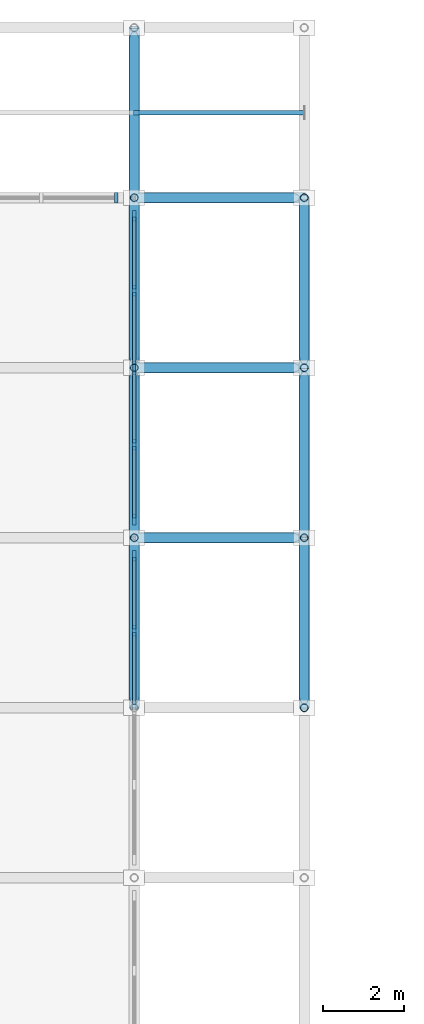
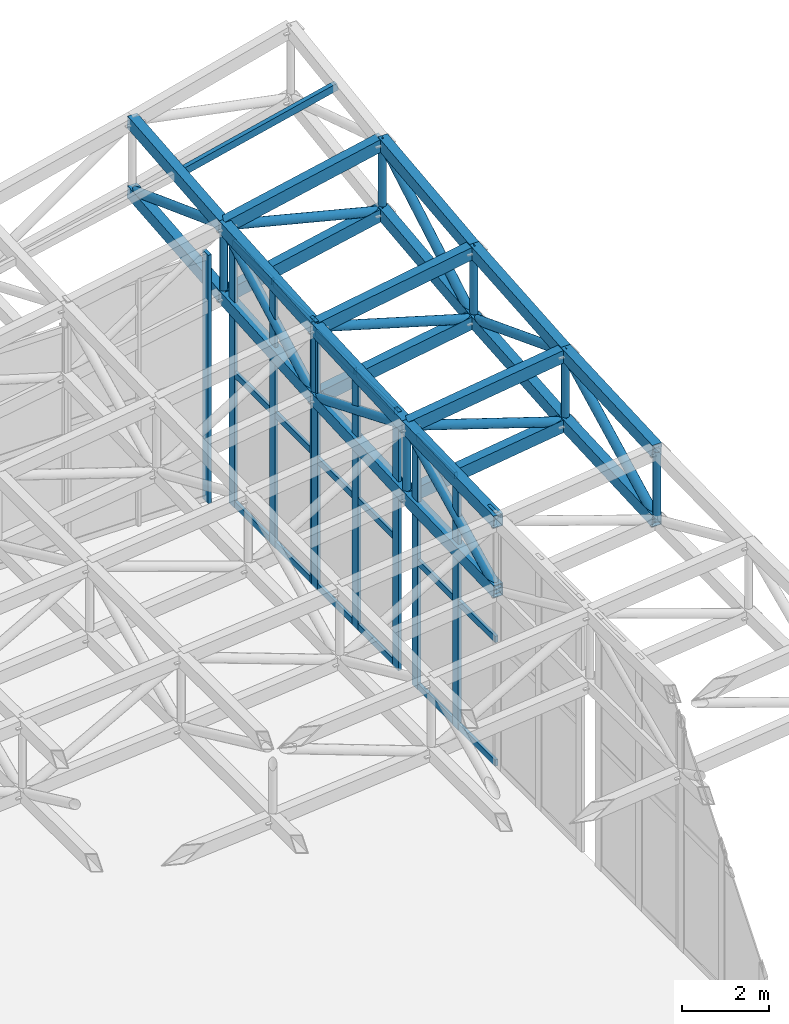
# One storey, part 60 of 111: 65 members, 4 elements without a shape of their own.
"""IFC4 building model written with IfcOpenShell, lengths in metres."""

from ifc_helpers import new_model, si_unit, direction, frame, origin, origin_2d, place, context, subcontext, project, spatial, rectangle, hollow_rectangle, hollow_circle, extrude, material, material_profile, profile_set, type_object, element, aggregate, save


model = new_model("IFC4")

# Units and contexts
model_context = context("Model", 3, precision=1e-05, world=origin(), true_north=direction((0.0, 1.0)))
body_context = subcontext(model_context, "Body", "Model", "MODEL_VIEW")
ifc_project = project(units=[si_unit("LENGTHUNIT", "METRE"), si_unit("AREAUNIT", "SQUARE_METRE"), si_unit("VOLUMEUNIT", "CUBIC_METRE"), si_unit("PLANEANGLEUNIT", "RADIAN"), si_unit("MASSUNIT", "GRAM", prefix="KILO")], contexts=[model_context])

# Site, building, storey
site_placement = place(None, origin())
site = spatial("IfcSite", under=ifc_project, at=site_placement, CompositionType="ELEMENT")
building_placement = place(site_placement, origin())
building = spatial("IfcBuilding", under=site, at=building_placement, Name="Cumbredor Promenade Congress Hotel", CompositionType="ELEMENT")
storey_placement = place(building_placement, frame((0.0, 0.0, 15.1201171875)))
storey = spatial("IfcBuildingStorey", under=building, at=storey_placement, Name="L04", CompositionType="ELEMENT", Elevation=15.1201171875)

# Curtain wall, member
ifc_material_1 = material(Name="Thermally broken anodized aluminium and low-E glass", Category="aluminium")
curtain_wall_type = type_object("IfcCurtainWallType", Name="Stepped Pavilion Clerestory Curtain Wall CW-06", PredefinedType="NOTDEFINED", material=ifc_material_1)
curtain_wall_1_placement = place(storey_placement, origin())
curtain_wall_1 = element("IfcCurtainWall", 1, at=curtain_wall_1_placement, inside=storey, type_object=curtain_wall_type, Name="Pre-Function and Breakout Meeting Forum N Glazed Clerestory 20", PredefinedType="NOTDEFINED")
ifc_material_2 = material(Name="Thermally broken anodized aluminium", Category="aluminium")
ifc_material_profile_1 = material_profile(ifc_material_2, rectangle(XDim=0.0849609375, YDim=0.260009765625, at=origin_2d()), Name="ALU MULLION CLERESTORY 85x260")
ifc_profile_set_1 = profile_set([ifc_material_profile_1], Name="Thermally broken anodized aluminium")
member_type_1 = type_object("IfcMemberType", Name="Curtain Wall Mullion ML-04", PredefinedType="MULLION", material=ifc_profile_set_1)
member_1_placement = place(storey_placement, frame((175.9599609375, 117.60009765625, -0.01806640625), z_axis=(0.0, 0.0, 1.0), x_axis=(1.0, 0.0, 0.0)))
member_1 = element("IfcMember", 2, at=member_1_placement, type_object=member_type_1, Name="Pre-Function and Breakout Meeting Forum N Glazed Clerestory 20 Mullion 3", PredefinedType="MULLION", context=body_context, shape_type="SweptSolid", body=[
    extrude(rectangle(XDim=0.0849609375, YDim=0.260009765625, at=origin_2d()), origin(), (0.0, 0.0, 1.0), 6.959228515625),
])
aggregate(curtain_wall_1, [member_1])

# Curtain wall, members
curtain_wall_2_placement = place(storey_placement, origin())
curtain_wall_2 = element("IfcCurtainWall", 3, at=curtain_wall_2_placement, inside=storey, type_object=curtain_wall_type, Name="Pre-Function and Breakout Meeting Forum E Glazed Clerestory 6", PredefinedType="NOTDEFINED")
member_2_placement = place(storey_placement, frame((176.39990234375, 106.89990234375, -0.01806640625), z_axis=(0.0, 0.0, 1.0), x_axis=(1.0, 0.0, 0.0)))
member_2 = element("IfcMember", 4, at=member_2_placement, type_object=member_type_1, Name="Pre-Function and Breakout Meeting Forum E Glazed Clerestory 6 Mullion 2", PredefinedType="MULLION", context=body_context, shape_type="SweptSolid", body=[
    extrude(rectangle(XDim=0.0849609375, YDim=0.260009765625, at=origin_2d()), origin(), (0.0, 0.0, 1.0), 7.12060546875),
])
member_3_placement = place(storey_placement, frame((176.39990234375, 108.760009765625, -0.01806640625), z_axis=(0.0, 0.0, 1.0), x_axis=(1.0, 0.0, 0.0)))
member_3 = element("IfcMember", 5, at=member_3_placement, type_object=member_type_1, Name="Pre-Function and Breakout Meeting Forum E Glazed Clerestory 6 Mullion 3", PredefinedType="MULLION", context=body_context, shape_type="SweptSolid", body=[
    extrude(rectangle(XDim=0.0849609375, YDim=0.260009765625, at=origin_2d()), origin(), (0.0, 0.0, 1.0), 7.12060546875),
])

curtain_wall_3_placement = place(storey_placement, origin())
curtain_wall_3 = element("IfcCurtainWall", 6, at=curtain_wall_3_placement, inside=storey, type_object=curtain_wall_type, Name="Pre-Function and Breakout Meeting Forum E Glazed Clerestory 7", PredefinedType="NOTDEFINED")
member_4_placement = place(storey_placement, frame((176.39990234375, 109.639892578125, -0.01806640625), z_axis=(0.0, 0.0, 1.0), x_axis=(1.0, 0.0, 0.0)))
member_4 = element("IfcMember", 7, at=member_4_placement, type_object=member_type_1, Name="Pre-Function and Breakout Meeting Forum E Glazed Clerestory 7 Mullion 1", PredefinedType="MULLION", context=body_context, shape_type="SweptSolid", body=[
    extrude(rectangle(XDim=0.0849609375, YDim=0.260009765625, at=origin_2d()), origin(), (0.0, 0.0, 1.0), 7.248046875),
])
member_5_placement = place(storey_placement, frame((176.39990234375, 111.5, -0.01806640625), z_axis=(0.0, 0.0, 1.0), x_axis=(1.0, 0.0, 0.0)))
member_5 = element("IfcMember", 8, at=member_5_placement, type_object=member_type_1, Name="Pre-Function and Breakout Meeting Forum E Glazed Clerestory 7 Mullion 2", PredefinedType="MULLION", context=body_context, shape_type="SweptSolid", body=[
    extrude(rectangle(XDim=0.0849609375, YDim=0.260009765625, at=origin_2d()), origin(), (0.0, 0.0, 1.0), 7.248046875),
])
member_6_placement = place(storey_placement, frame((176.39990234375, 113.360107421875, -0.01806640625), z_axis=(0.0, 0.0, 1.0), x_axis=(1.0, 0.0, 0.0)))
member_6 = element("IfcMember", 9, at=member_6_placement, type_object=member_type_1, Name="Pre-Function and Breakout Meeting Forum E Glazed Clerestory 7 Mullion 3", PredefinedType="MULLION", context=body_context, shape_type="SweptSolid", body=[
    extrude(rectangle(XDim=0.0849609375, YDim=0.260009765625, at=origin_2d()), origin(), (0.0, 0.0, 1.0), 7.248046875),
])

curtain_wall_4_placement = place(storey_placement, origin())
curtain_wall_4 = element("IfcCurtainWall", 10, at=curtain_wall_4_placement, inside=storey, type_object=curtain_wall_type, Name="Pre-Function and Breakout Meeting Forum E Glazed Clerestory 8", PredefinedType="NOTDEFINED")
member_7_placement = place(storey_placement, frame((176.39990234375, 113.43994140625, -0.01806640625), z_axis=(0.0, 0.0, 1.0), x_axis=(1.0, 0.0, 0.0)))
member_7 = element("IfcMember", 11, at=member_7_placement, type_object=member_type_1, Name="Pre-Function and Breakout Meeting Forum E Glazed Clerestory 8 Mullion 1", PredefinedType="MULLION", context=body_context, shape_type="SweptSolid", body=[
    extrude(rectangle(XDim=0.0849609375, YDim=0.260009765625, at=origin_2d()), origin(), (0.0, 0.0, 1.0), 7.4609375),
])
member_8_placement = place(storey_placement, frame((176.39990234375, 115.300048828125, -0.01806640625), z_axis=(0.0, 0.0, 1.0), x_axis=(1.0, 0.0, 0.0)))
member_8 = element("IfcMember", 12, at=member_8_placement, type_object=member_type_1, Name="Pre-Function and Breakout Meeting Forum E Glazed Clerestory 8 Mullion 2", PredefinedType="MULLION", context=body_context, shape_type="SweptSolid", body=[
    extrude(rectangle(XDim=0.0849609375, YDim=0.260009765625, at=origin_2d()), origin(), (0.0, 0.0, 1.0), 7.4609375),
])
member_9_placement = place(storey_placement, frame((176.39990234375, 117.159912109375, -0.01806640625), z_axis=(0.0, 0.0, 1.0), x_axis=(1.0, 0.0, 0.0)))
member_9 = element("IfcMember", 13, at=member_9_placement, type_object=member_type_1, Name="Pre-Function and Breakout Meeting Forum E Glazed Clerestory 8 Mullion 3", PredefinedType="MULLION", context=body_context, shape_type="SweptSolid", body=[
    extrude(rectangle(XDim=0.0849609375, YDim=0.260009765625, at=origin_2d()), origin(), (0.0, 0.0, 1.0), 7.4609375),
])

# Member
ifc_material_profile_2 = material_profile(ifc_material_2, rectangle(XDim=0.080078125, YDim=0.179931640625, at=origin_2d()), Name="ALU TRANSOM 80x180")
ifc_profile_set_2 = profile_set([ifc_material_profile_2], Name="Thermally broken anodized aluminium")
member_type_2 = type_object("IfcMemberType", Name="Curtain Wall Transom TR-03", PredefinedType="USERDEFINED", material=ifc_profile_set_2)
member_10_placement = place(storey_placement, frame((176.39990234375, 105.08251953125, 0.079833984375), z_axis=(0.0, 1.0, 0.0), x_axis=(-1.0, 0.0, 0.0)))
member_10 = element("IfcMember", 14, at=member_10_placement, type_object=member_type_2, Name="Pre-Function and Breakout Meeting Forum E Glazed Clerestory 6 Transom 1.1", ObjectType="TRANSOM", PredefinedType="USERDEFINED", context=body_context, shape_type="SweptSolid", body=[
    extrude(rectangle(XDim=0.080078125, YDim=0.179931640625, at=origin_2d()), origin(), (0.0, 0.0, 1.0), 1.77490234375),
])

member_11_placement = place(storey_placement, frame((176.39990234375, 105.08251953125, 3.539794921875), z_axis=(0.0, 1.0, 0.0), x_axis=(-1.0, 0.0, 0.0)))
member_11 = element("IfcMember", 15, at=member_11_placement, type_object=member_type_2, Name="Pre-Function and Breakout Meeting Forum E Glazed Clerestory 6 Transom 1.2", ObjectType="TRANSOM", PredefinedType="USERDEFINED", context=body_context, shape_type="SweptSolid", body=[
    extrude(rectangle(XDim=0.080078125, YDim=0.179931640625, at=origin_2d()), origin(), (0.0, 0.0, 1.0), 1.77490234375),
])

member_12_placement = place(storey_placement, frame((176.39990234375, 105.08251953125, 7.0), z_axis=(0.0, 1.0, 0.0), x_axis=(-1.0, 0.0, 0.0)))
member_12 = element("IfcMember", 16, at=member_12_placement, type_object=member_type_2, Name="Pre-Function and Breakout Meeting Forum E Glazed Clerestory 6 Transom 1.3", ObjectType="TRANSOM", PredefinedType="USERDEFINED", context=body_context, shape_type="SweptSolid", body=[
    extrude(rectangle(XDim=0.080078125, YDim=0.179931640625, at=origin_2d()), origin(), (0.0, 0.0, 1.0), 1.77490234375),
])

member_13_placement = place(storey_placement, frame((176.39990234375, 106.9423828125, 0.079833984375), z_axis=(0.0, 1.0, 0.0), x_axis=(-1.0, 0.0, 0.0)))
member_13 = element("IfcMember", 17, at=member_13_placement, type_object=member_type_2, Name="Pre-Function and Breakout Meeting Forum E Glazed Clerestory 6 Transom 2.1", ObjectType="TRANSOM", PredefinedType="USERDEFINED", context=body_context, shape_type="SweptSolid", body=[
    extrude(rectangle(XDim=0.080078125, YDim=0.179931640625, at=origin_2d()), origin(), (0.0, 0.0, 1.0), 1.775146484375),
])

member_14_placement = place(storey_placement, frame((176.39990234375, 106.9423828125, 3.539794921875), z_axis=(0.0, 1.0, 0.0), x_axis=(-1.0, 0.0, 0.0)))
member_14 = element("IfcMember", 18, at=member_14_placement, type_object=member_type_2, Name="Pre-Function and Breakout Meeting Forum E Glazed Clerestory 6 Transom 2.2", ObjectType="TRANSOM", PredefinedType="USERDEFINED", context=body_context, shape_type="SweptSolid", body=[
    extrude(rectangle(XDim=0.080078125, YDim=0.179931640625, at=origin_2d()), origin(), (0.0, 0.0, 1.0), 1.775146484375),
])

member_15_placement = place(storey_placement, frame((176.39990234375, 106.9423828125, 7.0), z_axis=(0.0, 1.0, 0.0), x_axis=(-1.0, 0.0, 0.0)))
member_15 = element("IfcMember", 19, at=member_15_placement, type_object=member_type_2, Name="Pre-Function and Breakout Meeting Forum E Glazed Clerestory 6 Transom 2.3", ObjectType="TRANSOM", PredefinedType="USERDEFINED", context=body_context, shape_type="SweptSolid", body=[
    extrude(rectangle(XDim=0.080078125, YDim=0.179931640625, at=origin_2d()), origin(), (0.0, 0.0, 1.0), 1.775146484375),
])

aggregate(curtain_wall_2, [member_2, member_3, member_10, member_11, member_12, member_13, member_14, member_15])

member_16_placement = place(storey_placement, frame((176.39990234375, 109.6826171875, 0.079833984375), z_axis=(0.0, 1.0, 0.0), x_axis=(-1.0, 0.0, 0.0)))
member_16 = element("IfcMember", 20, at=member_16_placement, type_object=member_type_2, Name="Pre-Function and Breakout Meeting Forum E Glazed Clerestory 7 Transom 1.1", ObjectType="TRANSOM", PredefinedType="USERDEFINED", context=body_context, shape_type="SweptSolid", body=[
    extrude(rectangle(XDim=0.080078125, YDim=0.179931640625, at=origin_2d()), origin(), (0.0, 0.0, 1.0), 1.77490234375),
])

member_17_placement = place(storey_placement, frame((176.39990234375, 109.6826171875, 3.60986328125), z_axis=(0.0, 1.0, 0.0), x_axis=(-1.0, 0.0, 0.0)))
member_17 = element("IfcMember", 21, at=member_17_placement, type_object=member_type_2, Name="Pre-Function and Breakout Meeting Forum E Glazed Clerestory 7 Transom 1.2", ObjectType="TRANSOM", PredefinedType="USERDEFINED", context=body_context, shape_type="SweptSolid", body=[
    extrude(rectangle(XDim=0.080078125, YDim=0.179931640625, at=origin_2d()), origin(), (0.0, 0.0, 1.0), 1.77490234375),
])

member_18_placement = place(storey_placement, frame((176.39990234375, 109.6826171875, 7.1298828125), z_axis=(0.0, 1.0, 0.0), x_axis=(-1.0, 0.0, 0.0)))
member_18 = element("IfcMember", 22, at=member_18_placement, type_object=member_type_2, Name="Pre-Function and Breakout Meeting Forum E Glazed Clerestory 7 Transom 1.3", ObjectType="TRANSOM", PredefinedType="USERDEFINED", context=body_context, shape_type="SweptSolid", body=[
    extrude(rectangle(XDim=0.080078125, YDim=0.179931640625, at=origin_2d()), origin(), (0.0, 0.0, 1.0), 1.77490234375),
])

member_19_placement = place(storey_placement, frame((176.39990234375, 111.54248046875, 0.079833984375), z_axis=(0.0, 1.0, 0.0), x_axis=(-1.0, 0.0, 0.0)))
member_19 = element("IfcMember", 23, at=member_19_placement, type_object=member_type_2, Name="Pre-Function and Breakout Meeting Forum E Glazed Clerestory 7 Transom 2.1", ObjectType="TRANSOM", PredefinedType="USERDEFINED", context=body_context, shape_type="SweptSolid", body=[
    extrude(rectangle(XDim=0.080078125, YDim=0.179931640625, at=origin_2d()), origin(), (0.0, 0.0, 1.0), 1.77490234375),
])

member_20_placement = place(storey_placement, frame((176.39990234375, 111.54248046875, 3.60986328125), z_axis=(0.0, 1.0, 0.0), x_axis=(-1.0, 0.0, 0.0)))
member_20 = element("IfcMember", 24, at=member_20_placement, type_object=member_type_2, Name="Pre-Function and Breakout Meeting Forum E Glazed Clerestory 7 Transom 2.2", ObjectType="TRANSOM", PredefinedType="USERDEFINED", context=body_context, shape_type="SweptSolid", body=[
    extrude(rectangle(XDim=0.080078125, YDim=0.179931640625, at=origin_2d()), origin(), (0.0, 0.0, 1.0), 1.77490234375),
])

member_21_placement = place(storey_placement, frame((176.39990234375, 111.54248046875, 7.1298828125), z_axis=(0.0, 1.0, 0.0), x_axis=(-1.0, 0.0, 0.0)))
member_21 = element("IfcMember", 25, at=member_21_placement, type_object=member_type_2, Name="Pre-Function and Breakout Meeting Forum E Glazed Clerestory 7 Transom 2.3", ObjectType="TRANSOM", PredefinedType="USERDEFINED", context=body_context, shape_type="SweptSolid", body=[
    extrude(rectangle(XDim=0.080078125, YDim=0.179931640625, at=origin_2d()), origin(), (0.0, 0.0, 1.0), 1.77490234375),
])

aggregate(curtain_wall_3, [member_4, member_5, member_6, member_16, member_17, member_18, member_19, member_20, member_21])

member_22_placement = place(storey_placement, frame((176.39990234375, 113.482421875, 0.079833984375), z_axis=(0.0, 1.0, 0.0), x_axis=(-1.0, 0.0, 0.0)))
member_22 = element("IfcMember", 26, at=member_22_placement, type_object=member_type_2, Name="Pre-Function and Breakout Meeting Forum E Glazed Clerestory 8 Transom 1.1", ObjectType="TRANSOM", PredefinedType="USERDEFINED", context=body_context, shape_type="SweptSolid", body=[
    extrude(rectangle(XDim=0.080078125, YDim=0.179931640625, at=origin_2d()), origin(), (0.0, 0.0, 1.0), 1.775146484375),
])

member_23_placement = place(storey_placement, frame((176.39990234375, 113.482421875, 3.7099609375), z_axis=(0.0, 1.0, 0.0), x_axis=(-1.0, 0.0, 0.0)))
member_23 = element("IfcMember", 27, at=member_23_placement, type_object=member_type_2, Name="Pre-Function and Breakout Meeting Forum E Glazed Clerestory 8 Transom 1.2", ObjectType="TRANSOM", PredefinedType="USERDEFINED", context=body_context, shape_type="SweptSolid", body=[
    extrude(rectangle(XDim=0.080078125, YDim=0.179931640625, at=origin_2d()), origin(), (0.0, 0.0, 1.0), 1.775146484375),
])

member_24_placement = place(storey_placement, frame((176.39990234375, 113.482421875, 7.33984375), z_axis=(0.0, 1.0, 0.0), x_axis=(-1.0, 0.0, 0.0)))
member_24 = element("IfcMember", 28, at=member_24_placement, type_object=member_type_2, Name="Pre-Function and Breakout Meeting Forum E Glazed Clerestory 8 Transom 1.3", ObjectType="TRANSOM", PredefinedType="USERDEFINED", context=body_context, shape_type="SweptSolid", body=[
    extrude(rectangle(XDim=0.080078125, YDim=0.179931640625, at=origin_2d()), origin(), (0.0, 0.0, 1.0), 1.775146484375),
])

member_25_placement = place(storey_placement, frame((176.39990234375, 115.342529296875, 0.079833984375), z_axis=(0.0, 1.0, 0.0), x_axis=(-1.0, 0.0, 0.0)))
member_25 = element("IfcMember", 29, at=member_25_placement, type_object=member_type_2, Name="Pre-Function and Breakout Meeting Forum E Glazed Clerestory 8 Transom 2.1", ObjectType="TRANSOM", PredefinedType="USERDEFINED", context=body_context, shape_type="SweptSolid", body=[
    extrude(rectangle(XDim=0.080078125, YDim=0.179931640625, at=origin_2d()), origin(), (0.0, 0.0, 1.0), 1.77490234375),
])

member_26_placement = place(storey_placement, frame((176.39990234375, 115.342529296875, 3.7099609375), z_axis=(0.0, 1.0, 0.0), x_axis=(-1.0, 0.0, 0.0)))
member_26 = element("IfcMember", 30, at=member_26_placement, type_object=member_type_2, Name="Pre-Function and Breakout Meeting Forum E Glazed Clerestory 8 Transom 2.2", ObjectType="TRANSOM", PredefinedType="USERDEFINED", context=body_context, shape_type="SweptSolid", body=[
    extrude(rectangle(XDim=0.080078125, YDim=0.179931640625, at=origin_2d()), origin(), (0.0, 0.0, 1.0), 1.77490234375),
])

member_27_placement = place(storey_placement, frame((176.39990234375, 115.342529296875, 7.33984375), z_axis=(0.0, 1.0, 0.0), x_axis=(-1.0, 0.0, 0.0)))
member_27 = element("IfcMember", 31, at=member_27_placement, type_object=member_type_2, Name="Pre-Function and Breakout Meeting Forum E Glazed Clerestory 8 Transom 2.3", ObjectType="TRANSOM", PredefinedType="USERDEFINED", context=body_context, shape_type="SweptSolid", body=[
    extrude(rectangle(XDim=0.080078125, YDim=0.179931640625, at=origin_2d()), origin(), (0.0, 0.0, 1.0), 1.77490234375),
])

aggregate(curtain_wall_4, [member_7, member_8, member_9, member_22, member_23, member_24, member_25, member_26, member_27])

# Members
ifc_material_3 = material(Name="Steel ASTM A500 Grade C", Category="steel")
ifc_material_profile_3 = material_profile(ifc_material_3, hollow_rectangle(XDim=0.25, YDim=0.35009765625, WallThickness=0.01611328125, at=origin_2d()), Name="HSS 350x250x16")
ifc_profile_set_3 = profile_set([ifc_material_profile_3], Name="Steel ASTM A500 Grade C")
member_type_3 = type_object("IfcMemberType", Name="Forum Roof Truss Chord", PredefinedType="CHORD", material=ifc_profile_set_3)
for number, where, z_axis, x_axis, name in (
    (32, (176.39990234375, 109.199951171875, 7.029052734375), (0.99038564581, 0.0, 0.138333916931), (0.0, 1.0, 0.0), "Pre-Function and Breakout Meeting Forum X Top Chord 22.8"),
    (33, (176.39990234375, 109.199951171875, 5.0791015625), (0.99038564581, 0.0, 0.138333916931), (0.0, 1.0, 0.0), "Pre-Function and Breakout Meeting Forum X Bottom Chord 22.8"),
):
    element("IfcMember", number, at=place(storey_placement, frame(where, z_axis=z_axis, x_axis=x_axis)), inside=storey, type_object=member_type_3, Name=name, PredefinedType="CHORD", context=body_context, shape_type="SweptSolid", body=[
        extrude(hollow_rectangle(XDim=0.25, YDim=0.35009765625, WallThickness=0.01611328125, at=origin_2d()), origin(), (0.0, 0.0, 1.0), 4.240966796875),
    ])
for number, where, z_axis, x_axis, name in (
    (34, (176.39990234375, 113.39990234375, 7.241943359375), (0.985937917486, 0.0, 0.16711200694), (0.0, 1.0, 0.0), "Pre-Function and Breakout Meeting Forum X Top Chord 22.9"),
    (35, (176.39990234375, 113.39990234375, 5.2919921875), (0.985947358293, 0.0, 0.167056297921), (0.0, 1.0, 0.0), "Pre-Function and Breakout Meeting Forum X Bottom Chord 22.9"),
):
    element("IfcMember", number, at=place(storey_placement, frame(where, z_axis=z_axis, x_axis=x_axis)), inside=storey, type_object=member_type_3, Name=name, PredefinedType="CHORD", context=body_context, shape_type="SweptSolid", body=[
        extrude(hollow_rectangle(XDim=0.25, YDim=0.35009765625, WallThickness=0.01611328125, at=origin_2d()), origin(), (0.0, 0.0, 1.0), 4.260009765625),
    ])
for number, where, z_axis, x_axis, name in (
    (36, (176.39990234375, 117.60009765625, 7.53955078125), (0.978410779297, 0.0, 0.20666965659), (0.0, 1.0, 0.0), "Pre-Function and Breakout Meeting Forum X Top Chord 22.10"),
    (37, (176.39990234375, 117.60009765625, 5.589599609375), (0.978410779297, 0.0, 0.20666965659), (0.0, 1.0, 0.0), "Pre-Function and Breakout Meeting Forum X Bottom Chord 22.10"),
):
    element("IfcMember", number, at=place(storey_placement, frame(where, z_axis=z_axis, x_axis=x_axis)), inside=storey, type_object=member_type_3, Name=name, PredefinedType="CHORD", context=body_context, shape_type="SweptSolid", body=[
        extrude(hollow_rectangle(XDim=0.25, YDim=0.35009765625, WallThickness=0.01611328125, at=origin_2d()), origin(), (0.0, 0.0, 1.0), 4.29296875),
    ])
for number, where, z_axis, x_axis, name in (
    (38, (176.39990234375, 105.0, 6.9013671875), (0.0, 0.999538189206, 0.030387634305), (-1.0, 0.0, 0.0), "Pre-Function and Breakout Meeting Forum Y Top Chord 22.7"),
    (39, (176.39990234375, 105.0, 4.951416015625), (0.0, 0.999538189206, 0.030387634305), (-1.0, 0.0, 0.0), "Pre-Function and Breakout Meeting Forum Y Bottom Chord 22.7"),
):
    element("IfcMember", number, at=place(storey_placement, frame(where, z_axis=z_axis, x_axis=x_axis)), inside=storey, type_object=member_type_3, Name=name, PredefinedType="CHORD", context=body_context, shape_type="SweptSolid", body=[
        extrude(hollow_rectangle(XDim=0.25, YDim=0.35009765625, WallThickness=0.01611328125, at=origin_2d()), origin(), (0.0, 0.0, 1.0), 4.201904296875),
    ])
for number, where, z_axis, x_axis, name in (
    (40, (176.39990234375, 109.199951171875, 7.029052734375), (0.0, 0.998717791398, 0.050623839685), (-1.0, 0.0, 0.0), "Pre-Function and Breakout Meeting Forum Y Top Chord 22.8"),
    (41, (176.39990234375, 109.199951171875, 5.0791015625), (0.0, 0.998717791398, 0.050623839685), (-1.0, 0.0, 0.0), "Pre-Function and Breakout Meeting Forum Y Bottom Chord 22.8"),
):
    element("IfcMember", number, at=place(storey_placement, frame(where, z_axis=z_axis, x_axis=x_axis)), inside=storey, type_object=member_type_3, Name=name, PredefinedType="CHORD", context=body_context, shape_type="SweptSolid", body=[
        extrude(hollow_rectangle(XDim=0.25, YDim=0.35009765625, WallThickness=0.01611328125, at=origin_2d()), origin(), (0.0, 0.0, 1.0), 4.205322265625),
    ])
for number, where, z_axis, x_axis, name in (
    (42, (176.39990234375, 113.39990234375, 7.241943359375), (0.0, 0.997499153642, 0.070678415967), (-1.0, 0.0, 0.0), "Pre-Function and Breakout Meeting Forum Y Top Chord 22.9"),
    (43, (176.39990234375, 113.39990234375, 5.2919921875), (0.0, 0.997499153642, 0.070678415967), (-1.0, 0.0, 0.0), "Pre-Function and Breakout Meeting Forum Y Bottom Chord 22.9"),
):
    element("IfcMember", number, at=place(storey_placement, frame(where, z_axis=z_axis, x_axis=x_axis)), inside=storey, type_object=member_type_3, Name=name, PredefinedType="CHORD", context=body_context, shape_type="SweptSolid", body=[
        extrude(hollow_rectangle(XDim=0.25, YDim=0.35009765625, WallThickness=0.01611328125, at=origin_2d()), origin(), (0.0, 0.0, 1.0), 4.210693359375),
    ])
for number, where, z_axis, x_axis, name in (
    (44, (176.39990234375, 117.60009765625, 7.53955078125), (0.0, 0.995782395469, 0.091746503332), (-1.0, 0.0, 0.0), "Pre-Function and Breakout Meeting Forum Y Top Chord 22.10"),
    (45, (176.39990234375, 117.60009765625, 5.589599609375), (0.0, 0.995782395469, 0.091746503332), (-1.0, 0.0, 0.0), "Pre-Function and Breakout Meeting Forum Y Bottom Chord 22.10"),
):
    element("IfcMember", number, at=place(storey_placement, frame(where, z_axis=z_axis, x_axis=x_axis)), inside=storey, type_object=member_type_3, Name=name, PredefinedType="CHORD", context=body_context, shape_type="SweptSolid", body=[
        extrude(hollow_rectangle(XDim=0.25, YDim=0.35009765625, WallThickness=0.01611328125, at=origin_2d()), origin(), (0.0, 0.0, 1.0), 4.2177734375),
    ])
for number, where, z_axis, x_axis, name in (
    (46, (180.60009765625, 105.0, 7.412841796875), (0.0, 0.99883532584, 0.048249267905), (-1.0, 0.0, 0.0), "Pre-Function and Breakout Meeting Forum Y Top Chord 23.7"),
    (47, (180.60009765625, 105.0, 5.462890625), (0.0, 0.99883532584, 0.048249267905), (-1.0, 0.0, 0.0), "Pre-Function and Breakout Meeting Forum Y Bottom Chord 23.7"),
):
    element("IfcMember", number, at=place(storey_placement, frame(where, z_axis=z_axis, x_axis=x_axis)), inside=storey, type_object=member_type_3, Name=name, PredefinedType="CHORD", context=body_context, shape_type="SweptSolid", body=[
        extrude(hollow_rectangle(XDim=0.25, YDim=0.35009765625, WallThickness=0.01611328125, at=origin_2d()), origin(), (0.0, 0.0, 1.0), 4.204833984375),
    ])
for number, where, z_axis, x_axis, name in (
    (48, (180.60009765625, 109.199951171875, 7.61572265625), (0.0, 0.996774803477, 0.080249555474), (-1.0, 0.0, 0.0), "Pre-Function and Breakout Meeting Forum Y Top Chord 23.8"),
    (49, (180.60009765625, 109.199951171875, 5.665771484375), (0.0, 0.996779436652, 0.0801919863), (-1.0, 0.0, 0.0), "Pre-Function and Breakout Meeting Forum Y Bottom Chord 23.8"),
):
    element("IfcMember", number, at=place(storey_placement, frame(where, z_axis=z_axis, x_axis=x_axis)), inside=storey, type_object=member_type_3, Name=name, PredefinedType="CHORD", context=body_context, shape_type="SweptSolid", body=[
        extrude(hollow_rectangle(XDim=0.25, YDim=0.35009765625, WallThickness=0.01611328125, at=origin_2d()), origin(), (0.0, 0.0, 1.0), 4.213623046875),
    ])
for number, where, z_axis, x_axis, name in (
    (50, (180.60009765625, 113.39990234375, 7.953857421875), (0.0, 0.993721366022, 0.111883183329), (-1.0, 0.0, 0.0), "Pre-Function and Breakout Meeting Forum Y Top Chord 23.9"),
    (51, (180.60009765625, 113.39990234375, 6.003662109375), (0.0, 0.99371494251, 0.111940220797), (-1.0, 0.0, 0.0), "Pre-Function and Breakout Meeting Forum Y Bottom Chord 23.9"),
):
    element("IfcMember", number, at=place(storey_placement, frame(where, z_axis=z_axis, x_axis=x_axis)), inside=storey, type_object=member_type_3, Name=name, PredefinedType="CHORD", context=body_context, shape_type="SweptSolid", body=[
        extrude(hollow_rectangle(XDim=0.25, YDim=0.35009765625, WallThickness=0.01611328125, at=origin_2d()), origin(), (0.0, 0.0, 1.0), 4.226806640625),
    ])
ifc_material_profile_4 = material_profile(ifc_material_3, hollow_rectangle(XDim=0.1201171875, YDim=0.199951171875, WallThickness=0.010009765625, at=origin_2d()), Name="HSS 200x120x10")
ifc_profile_set_4 = profile_set([ifc_material_profile_4], Name="Steel ASTM A500 Grade C")
member_type_4 = type_object("IfcMemberType", Name="Roof Purlin HSS200x120", PredefinedType="PURLIN", material=ifc_profile_set_4)
member_28_placement = place(storey_placement, frame((176.39990234375, 119.699951171875, 7.712890625), z_axis=(0.972846850955, 0.0, 0.231449788477), x_axis=(0.0, 1.0, 0.0)))
element("IfcMember", 52, at=member_28_placement, inside=storey, type_object=member_type_4, Name="Pre-Function and Breakout Meeting Forum Roof Eave Purlin 22.10", PredefinedType="PURLIN", context=body_context, shape_type="SweptSolid", body=[
    extrude(hollow_rectangle(XDim=0.1201171875, YDim=0.199951171875, WallThickness=0.010009765625, at=origin_2d()), origin(), (0.0, 0.0, 1.0), 4.3173828125),
])
ifc_material_profile_5 = material_profile(ifc_material_3, hollow_circle(Radius=0.122314453125, WallThickness=0.012451171875, at=origin_2d()), Name="CHS 244.5x12.5")
ifc_profile_set_5 = profile_set([ifc_material_profile_5], Name="Steel ASTM A500 Grade C")
member_type_5 = type_object("IfcMemberType", Name="Space Frame Web Diagonal D2", PredefinedType="BRACE", material=ifc_profile_set_5)
member_29_placement = place(storey_placement, frame((176.39990234375, 109.199951171875, 7.029052734375), z_axis=(0.951152635401, 0.0, -0.30872101349), x_axis=(0.0, 1.0, 0.0)))
element("IfcMember", 53, at=member_29_placement, inside=storey, type_object=member_type_5, Name="Pre-Function and Breakout Meeting Forum X Web Diagonal 22.8", PredefinedType="BRACE", context=body_context, shape_type="SweptSolid", body=[
    extrude(hollow_circle(Radius=0.122314453125, WallThickness=0.012451171875, at=origin_2d()), origin(), (0.0, 0.0, 1.0), 4.416015625),
])
member_30_placement = place(storey_placement, frame((176.39990234375, 113.39990234375, 7.241943359375), z_axis=(0.959184193671, 0.0, -0.282782040822), x_axis=(0.0, 1.0, 0.0)))
element("IfcMember", 54, at=member_30_placement, inside=storey, type_object=member_type_5, Name="Pre-Function and Breakout Meeting Forum X Web Diagonal 22.9", PredefinedType="BRACE", context=body_context, shape_type="SweptSolid", body=[
    extrude(hollow_circle(Radius=0.122314453125, WallThickness=0.012451171875, at=origin_2d()), origin(), (0.0, 0.0, 1.0), 4.37890625),
])
member_31_placement = place(storey_placement, frame((176.39990234375, 117.60009765625, 7.53955078125), z_axis=(0.969449118774, 0.0, -0.245292490934), x_axis=(0.0, 1.0, 0.0)))
element("IfcMember", 55, at=member_31_placement, inside=storey, type_object=member_type_5, Name="Pre-Function and Breakout Meeting Forum X Web Diagonal 22.10", PredefinedType="BRACE", context=body_context, shape_type="SweptSolid", body=[
    extrude(hollow_circle(Radius=0.122314453125, WallThickness=0.012451171875, at=origin_2d()), origin(), (0.0, 0.0, 1.0), 4.33251953125),
])
member_32_placement = place(storey_placement, frame((176.39990234375, 105.0, 4.951416015625), z_axis=(0.0, 0.896326025253, 0.443395598146), x_axis=(-1.0, 0.0, 0.0)))
element("IfcMember", 56, at=member_32_placement, inside=storey, type_object=member_type_5, Name="Pre-Function and Breakout Meeting Forum Y Web Diagonal 22.7", PredefinedType="BRACE", context=body_context, shape_type="SweptSolid", body=[
    extrude(hollow_circle(Radius=0.122314453125, WallThickness=0.012451171875, at=origin_2d()), origin(), (0.0, 0.0, 1.0), 4.685791015625),
])
member_33_placement = place(storey_placement, frame((176.39990234375, 109.199951171875, 7.029052734375), z_axis=(0.0, 0.924082914306, -0.382192055763), x_axis=(-1.0, 0.0, 0.0)))
element("IfcMember", 57, at=member_33_placement, inside=storey, type_object=member_type_5, Name="Pre-Function and Breakout Meeting Forum Y Web Diagonal 22.8", PredefinedType="BRACE", context=body_context, shape_type="SweptSolid", body=[
    extrude(hollow_circle(Radius=0.122314453125, WallThickness=0.012451171875, at=origin_2d()), origin(), (0.0, 0.0, 1.0), 4.544921875),
])
member_34_placement = place(storey_placement, frame((176.39990234375, 113.39990234375, 5.2919921875), z_axis=(0.0, 0.881702344281, 0.471806078903), x_axis=(-1.0, 0.0, 0.0)))
element("IfcMember", 58, at=member_34_placement, inside=storey, type_object=member_type_5, Name="Pre-Function and Breakout Meeting Forum Y Web Diagonal 22.9", PredefinedType="BRACE", context=body_context, shape_type="SweptSolid", body=[
    extrude(hollow_circle(Radius=0.122314453125, WallThickness=0.012451171875, at=origin_2d()), origin(), (0.0, 0.0, 1.0), 4.763671875),
])
member_35_placement = place(storey_placement, frame((176.39990234375, 117.60009765625, 7.53955078125), z_axis=(0.0, 0.937206114536, -0.348776001003), x_axis=(-1.0, 0.0, 0.0)))
element("IfcMember", 59, at=member_35_placement, inside=storey, type_object=member_type_5, Name="Pre-Function and Breakout Meeting Forum Y Web Diagonal 22.10", PredefinedType="BRACE", context=body_context, shape_type="SweptSolid", body=[
    extrude(hollow_circle(Radius=0.122314453125, WallThickness=0.012451171875, at=origin_2d()), origin(), (0.0, 0.0, 1.0), 4.4814453125),
])
member_36_placement = place(storey_placement, frame((180.60009765625, 105.0, 5.462890625), z_axis=(0.0, 0.889902541152, 0.45615070673), x_axis=(-1.0, 0.0, 0.0)))
element("IfcMember", 60, at=member_36_placement, inside=storey, type_object=member_type_5, Name="Pre-Function and Breakout Meeting Forum Y Web Diagonal 23.7", PredefinedType="BRACE", context=body_context, shape_type="SweptSolid", body=[
    extrude(hollow_circle(Radius=0.122314453125, WallThickness=0.012451171875, at=origin_2d()), origin(), (0.0, 0.0, 1.0), 4.719482421875),
])
member_37_placement = place(storey_placement, frame((180.60009765625, 109.199951171875, 7.61572265625), z_axis=(0.0, 0.933591555924, -0.358338955052), x_axis=(-1.0, 0.0, 0.0)))
element("IfcMember", 61, at=member_37_placement, inside=storey, type_object=member_type_5, Name="Pre-Function and Breakout Meeting Forum Y Web Diagonal 23.8", PredefinedType="BRACE", context=body_context, shape_type="SweptSolid", body=[
    extrude(hollow_circle(Radius=0.122314453125, WallThickness=0.012451171875, at=origin_2d()), origin(), (0.0, 0.0, 1.0), 4.498779296875),
])
member_38_placement = place(storey_placement, frame((180.60009765625, 113.39990234375, 6.003662109375), z_axis=(0.0, 0.866193968014, 0.499707924468), x_axis=(-1.0, 0.0, 0.0)))
element("IfcMember", 62, at=member_38_placement, inside=storey, type_object=member_type_5, Name="Pre-Function and Breakout Meeting Forum Y Web Diagonal 23.9", PredefinedType="BRACE", context=body_context, shape_type="SweptSolid", body=[
    extrude(hollow_circle(Radius=0.122314453125, WallThickness=0.012451171875, at=origin_2d()), origin(), (0.0, 0.0, 1.0), 4.84912109375),
])
ifc_material_profile_6 = material_profile(ifc_material_3, hollow_circle(Radius=0.096923828125, WallThickness=0.010009765625, at=origin_2d()), Name="CHS 193.7x10")
ifc_profile_set_6 = profile_set([ifc_material_profile_6], Name="Steel ASTM A500 Grade C")
member_type_6 = type_object("IfcMemberType", Name="Space Frame Web Post P1", PredefinedType="BRACE", material=ifc_profile_set_6)
for number, where, z_axis, x_axis, name in (
    (63, (176.39990234375, 109.199951171875, 5.0791015625), (0.0, 0.0, 1.0), (1.0, 0.0, 0.0), "Pre-Function and Breakout Meeting Forum Space Frame Web Post 22.8"),
    (64, (176.39990234375, 113.39990234375, 5.2919921875), (0.0, 0.0, 1.0), (1.0, 0.0, 0.0), "Pre-Function and Breakout Meeting Forum Space Frame Web Post 22.9"),
    (65, (176.39990234375, 117.60009765625, 5.589599609375), (0.0, 0.0, 1.0), (1.0, 0.0, 0.0), "Pre-Function and Breakout Meeting Forum Space Frame Web Post 22.10"),
    (66, (180.60009765625, 105.0, 5.462890625), (0.0, 0.0, 1.0), (1.0, 0.0, 0.0), "Pre-Function and Breakout Meeting Forum Space Frame Web Post 23.7"),
    (67, (180.60009765625, 109.199951171875, 5.665771484375), (0.0, 0.0, 1.0), (1.0, 0.0, 0.0), "Pre-Function and Breakout Meeting Forum Space Frame Web Post 23.8"),
):
    element("IfcMember", number, at=place(storey_placement, frame(where, z_axis=z_axis, x_axis=x_axis)), inside=storey, type_object=member_type_6, Name=name, PredefinedType="BRACE", context=body_context, shape_type="SweptSolid", body=[
        extrude(hollow_circle(Radius=0.096923828125, WallThickness=0.010009765625, at=origin_2d()), origin(), (0.0, 0.0, 1.0), 1.949951171875),
    ])
member_39_placement = place(storey_placement, frame((180.60009765625, 113.39990234375, 6.003662109375), z_axis=(0.0, 0.0, 1.0), x_axis=(1.0, 0.0, 0.0)))
element("IfcMember", 68, at=member_39_placement, inside=storey, type_object=member_type_6, Name="Pre-Function and Breakout Meeting Forum Space Frame Web Post 23.9", PredefinedType="BRACE", context=body_context, shape_type="SweptSolid", body=[
    extrude(hollow_circle(Radius=0.096923828125, WallThickness=0.010009765625, at=origin_2d()), origin(), (0.0, 0.0, 1.0), 1.9501953125),
])
member_40_placement = place(storey_placement, frame((180.60009765625, 117.60009765625, 6.476806640625), z_axis=(0.0, 0.0, 1.0), x_axis=(1.0, 0.0, 0.0)))
element("IfcMember", 69, at=member_40_placement, inside=storey, type_object=member_type_6, Name="Pre-Function and Breakout Meeting Forum Space Frame Web Post 23.10", PredefinedType="BRACE", context=body_context, shape_type="SweptSolid", body=[
    extrude(hollow_circle(Radius=0.096923828125, WallThickness=0.010009765625, at=origin_2d()), origin(), (0.0, 0.0, 1.0), 1.949951171875),
])

save(model, "model.ifc")
